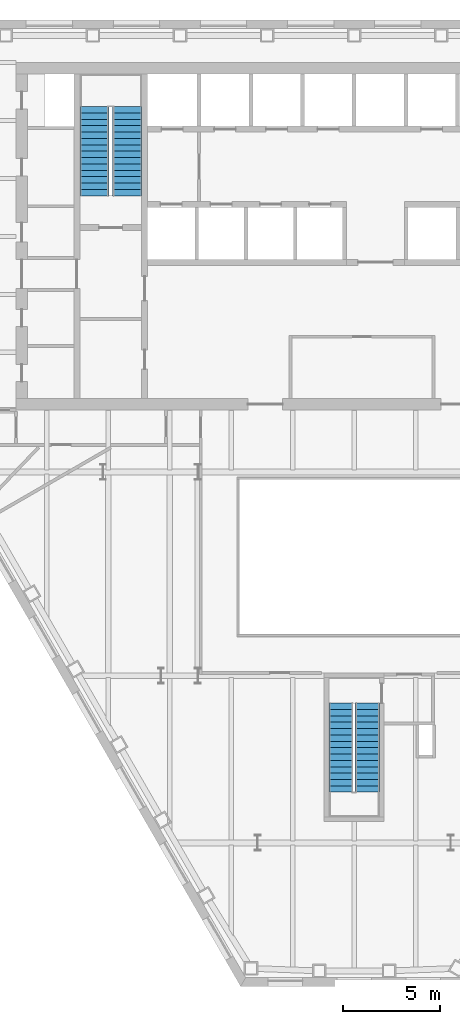
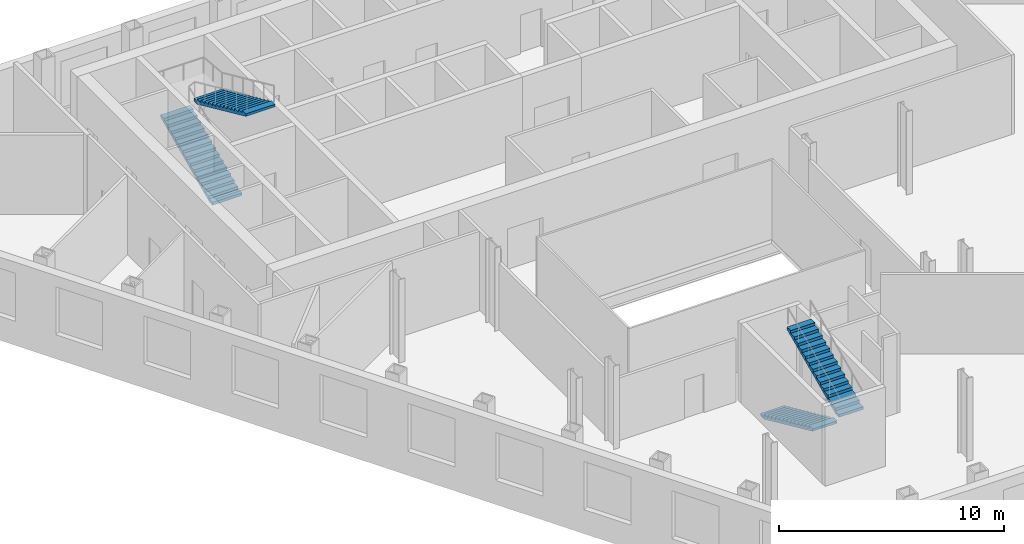
# One storey, part 9 of 11: 4 stair flights, 2 elements without a shape of their own.
"""IFC4 building model written with IfcOpenShell, lengths in metres."""

from ifc_helpers import new_model, si_unit, direction, frame, origin, place, context, subcontext, project, spatial, polygons, material, type_object, element, aggregate, save


model = new_model("IFC4")

# Units and contexts
model_context = context("Model", 3, precision=1e-05, world=origin(), true_north=direction((0.0, 1.0)))
body_context = subcontext(model_context, "Body", "Model", "MODEL_VIEW")
ifc_project = project(units=[si_unit("LENGTHUNIT", "METRE"), si_unit("AREAUNIT", "SQUARE_METRE"), si_unit("VOLUMEUNIT", "CUBIC_METRE"), si_unit("PLANEANGLEUNIT", "RADIAN"), si_unit("MASSUNIT", "GRAM", prefix="KILO")], contexts=[model_context])

# Site, building, storey
site_placement = place(None, origin())
site = spatial("IfcSite", under=ifc_project, at=site_placement, CompositionType="ELEMENT")
building_placement = place(site_placement, origin())
building = spatial("IfcBuilding", under=site, at=building_placement, Name="Njiva Tower", CompositionType="ELEMENT")
storey_placement = place(building_placement, frame((0.0, 0.0, 37.8)))
storey = spatial("IfcBuildingStorey", under=building, at=storey_placement, Name="L07", CompositionType="ELEMENT", Elevation=37.8)

# Stair, stair flights
ifc_material = material(Name="Concrete C40/50", Category="concrete")
stair_type_1 = type_object("IfcStairType", Name="ST1 Exit stair 1250", PredefinedType="HALF_TURN_STAIR", material=ifc_material)
stair_1_placement = place(storey_placement, origin())
stair_1 = element("IfcStair", 1, at=stair_1_placement, inside=storey, type_object=stair_type_1, Name="Stair C", PredefinedType="HALF_TURN_STAIR")
stair_flight_type_1 = type_object("IfcStairFlightType", Name="FL1 Stair flight 1250", PredefinedType="STRAIGHT", material=ifc_material)
stair_flight_1_placement = place(storey_placement, frame((-0.675, -15.16, 0.0), z_axis=(0.0, 0.0, 1.0), x_axis=(0.0, -1.0, 0.0)))
stair_flight_1 = element("IfcStairFlight", 2, at=stair_flight_1_placement, type_object=stair_flight_type_1, Name="ST-C flight 1", NumberOfRisers=15, NumberOfTreads=14, PredefinedType="STRAIGHT", RiserHeight=0.15, TreadLength=0.33, context=body_context, shape_type="Tessellation", body=[
    polygons([(0.0, 0.625, 0.0), (0.0, 0.3125, 0.0), (0.0, 0.0, 0.0), (0.0, -0.3125, 0.0), (0.0, -0.625, 0.0), (0.0, 0.625, 0.15), (0.0, 0.3125, 0.15), (0.0, 0.0, 0.15), (0.0, -0.3125, 0.15), (0.0, -0.625, 0.15), (0.33, 0.625, 0.15), (0.33, 0.3125, 0.15), (0.33, 0.0, 0.15), (0.33, -0.3125, 0.15), (0.33, -0.625, 0.15), (0.33, 0.625, 0.3), (0.33, 0.3125, 0.3), (0.33, 0.0, 0.3), (0.33, -0.3125, 0.3), (0.33, -0.625, 0.3), (0.66, 0.625, 0.3), (0.66, 0.3125, 0.3), (0.66, 0.0, 0.3), (0.66, -0.3125, 0.3), (0.66, -0.625, 0.3), (0.66, 0.625, 0.45), (0.66, 0.3125, 0.45), (0.66, 0.0, 0.45), (0.66, -0.3125, 0.45), (0.66, -0.625, 0.45), (0.99, 0.625, 0.45), (0.99, 0.3125, 0.45), (0.99, 0.0, 0.45), (0.99, -0.3125, 0.45), (0.99, -0.625, 0.45), (0.99, 0.625, 0.6), (0.99, 0.3125, 0.6), (0.99, 0.0, 0.6), (0.99, -0.3125, 0.6), (0.99, -0.625, 0.6), (1.32, 0.625, 0.6), (1.32, 0.3125, 0.6), (1.32, 0.0, 0.6), (1.32, -0.3125, 0.6), (1.32, -0.625, 0.6), (1.32, 0.625, 0.75), (1.32, 0.3125, 0.75), (1.32, 0.0, 0.75), (1.32, -0.3125, 0.75), (1.32, -0.625, 0.75), (1.65, 0.625, 0.75), (1.65, 0.3125, 0.75), (1.65, 0.0, 0.75), (1.65, -0.3125, 0.75), (1.65, -0.625, 0.75), (1.65, 0.625, 0.9), (1.65, 0.3125, 0.9), (1.65, 0.0, 0.9), (1.65, -0.3125, 0.9), (1.65, -0.625, 0.9), (1.98, 0.625, 0.9), (1.98, 0.3125, 0.9), (1.98, 0.0, 0.9), (1.98, -0.3125, 0.9), (1.98, -0.625, 0.9), (1.98, 0.625, 1.05), (1.98, 0.3125, 1.05), (1.98, 0.0, 1.05), (1.98, -0.3125, 1.05), (1.98, -0.625, 1.05), (2.31, 0.625, 1.05), (2.31, 0.3125, 1.05), (2.31, 0.0, 1.05), (2.31, -0.3125, 1.05), (2.31, -0.625, 1.05), (2.31, 0.625, 1.2), (2.31, 0.3125, 1.2), (2.31, 0.0, 1.2), (2.31, -0.3125, 1.2), (2.31, -0.625, 1.2), (2.64, 0.625, 1.2), (2.64, 0.3125, 1.2), (2.64, 0.0, 1.2), (2.64, -0.3125, 1.2), (2.64, -0.625, 1.2), (2.64, 0.625, 1.35), (2.64, 0.3125, 1.35), (2.64, 0.0, 1.35), (2.64, -0.3125, 1.35), (2.64, -0.625, 1.35), (2.97, 0.625, 1.35), (2.97, 0.3125, 1.35), (2.97, 0.0, 1.35), (2.97, -0.3125, 1.35), (2.97, -0.625, 1.35), (2.97, 0.625, 1.5), (2.97, 0.3125, 1.5), (2.97, 0.0, 1.5), (2.97, -0.3125, 1.5), (2.97, -0.625, 1.5), (3.3, 0.625, 1.5), (3.3, 0.3125, 1.5), (3.3, 0.0, 1.5), (3.3, -0.3125, 1.5), (3.3, -0.625, 1.5), (3.3, 0.625, 1.65), (3.3, 0.3125, 1.65), (3.3, 0.0, 1.65), (3.3, -0.3125, 1.65), (3.3, -0.625, 1.65), (3.63, 0.625, 1.65), (3.63, 0.3125, 1.65), (3.63, 0.0, 1.65), (3.63, -0.3125, 1.65), (3.63, -0.625, 1.65), (3.63, 0.625, 1.8), (3.63, 0.3125, 1.8), (3.63, 0.0, 1.8), (3.63, -0.3125, 1.8), (3.63, -0.625, 1.8), (3.96, 0.625, 1.8), (3.96, 0.3125, 1.8), (3.96, 0.0, 1.8), (3.96, -0.3125, 1.8), (3.96, -0.625, 1.8), (3.96, 0.625, 1.95), (3.96, 0.3125, 1.95), (3.96, 0.0, 1.95), (3.96, -0.3125, 1.95), (3.96, -0.625, 1.95), (4.29, 0.625, 1.95), (4.29, 0.3125, 1.95), (4.29, 0.0, 1.95), (4.29, -0.3125, 1.95), (4.29, -0.625, 1.95), (4.29, 0.625, 2.1), (4.29, 0.3125, 2.1), (4.29, 0.0, 2.1), (4.29, -0.3125, 2.1), (4.29, -0.625, 2.1), (4.62, 0.625, 2.1), (4.62, 0.3125, 2.1), (4.62, 0.0, 2.1), (4.62, -0.3125, 2.1), (4.62, -0.625, 2.1), (4.62, 0.625, 1.9682), (4.62, 0.3125, 1.9682), (4.62, 0.0, 1.9682), (4.62, -0.3125, 1.9682), (4.62, -0.625, 1.9682), (0.29, 0.625, 0.0), (0.29, 0.3125, 0.0), (0.29, 0.0, 0.0), (0.29, -0.3125, 0.0), (0.29, -0.625, 0.0)], [[[1, 6, 11, 16, 21, 26, 31, 36, 41, 46, 51, 56, 61, 66, 71, 76, 81, 86, 91, 96, 101, 106, 111, 116, 121, 126, 131, 136, 141, 146, 151]], [[155, 150, 145, 140, 135, 130, 125, 120, 115, 110, 105, 100, 95, 90, 85, 80, 75, 70, 65, 60, 55, 50, 45, 40, 35, 30, 25, 20, 15, 10, 5]], [[6, 1, 2, 7]], [[7, 2, 3, 8]], [[8, 3, 4, 9]], [[9, 4, 5, 10]], [[11, 6, 7, 12]], [[12, 7, 8, 13]], [[13, 8, 9, 14]], [[14, 9, 10, 15]], [[16, 11, 12, 17]], [[17, 12, 13, 18]], [[18, 13, 14, 19]], [[19, 14, 15, 20]], [[21, 16, 17, 22]], [[22, 17, 18, 23]], [[23, 18, 19, 24]], [[24, 19, 20, 25]], [[26, 21, 22, 27]], [[27, 22, 23, 28]], [[28, 23, 24, 29]], [[29, 24, 25, 30]], [[31, 26, 27, 32]], [[32, 27, 28, 33]], [[33, 28, 29, 34]], [[34, 29, 30, 35]], [[36, 31, 32, 37]], [[37, 32, 33, 38]], [[38, 33, 34, 39]], [[39, 34, 35, 40]], [[41, 36, 37, 42]], [[42, 37, 38, 43]], [[43, 38, 39, 44]], [[44, 39, 40, 45]], [[46, 41, 42, 47]], [[47, 42, 43, 48]], [[48, 43, 44, 49]], [[49, 44, 45, 50]], [[51, 46, 47, 52]], [[52, 47, 48, 53]], [[53, 48, 49, 54]], [[54, 49, 50, 55]], [[56, 51, 52, 57]], [[57, 52, 53, 58]], [[58, 53, 54, 59]], [[59, 54, 55, 60]], [[61, 56, 57, 62]], [[62, 57, 58, 63]], [[63, 58, 59, 64]], [[64, 59, 60, 65]], [[66, 61, 62, 67]], [[67, 62, 63, 68]], [[68, 63, 64, 69]], [[69, 64, 65, 70]], [[71, 66, 67, 72]], [[72, 67, 68, 73]], [[73, 68, 69, 74]], [[74, 69, 70, 75]], [[76, 71, 72, 77]], [[77, 72, 73, 78]], [[78, 73, 74, 79]], [[79, 74, 75, 80]], [[81, 76, 77, 82]], [[82, 77, 78, 83]], [[83, 78, 79, 84]], [[84, 79, 80, 85]], [[86, 81, 82, 87]], [[87, 82, 83, 88]], [[88, 83, 84, 89]], [[89, 84, 85, 90]], [[91, 86, 87, 92]], [[92, 87, 88, 93]], [[93, 88, 89, 94]], [[94, 89, 90, 95]], [[96, 91, 92, 97]], [[97, 92, 93, 98]], [[98, 93, 94, 99]], [[99, 94, 95, 100]], [[101, 96, 97, 102]], [[102, 97, 98, 103]], [[103, 98, 99, 104]], [[104, 99, 100, 105]], [[106, 101, 102, 107]], [[107, 102, 103, 108]], [[108, 103, 104, 109]], [[109, 104, 105, 110]], [[111, 106, 107, 112]], [[112, 107, 108, 113]], [[113, 108, 109, 114]], [[114, 109, 110, 115]], [[116, 111, 112, 117]], [[117, 112, 113, 118]], [[118, 113, 114, 119]], [[119, 114, 115, 120]], [[121, 116, 117, 122]], [[122, 117, 118, 123]], [[123, 118, 119, 124]], [[124, 119, 120, 125]], [[126, 121, 122, 127]], [[127, 122, 123, 128]], [[128, 123, 124, 129]], [[129, 124, 125, 130]], [[131, 126, 127, 132]], [[132, 127, 128, 133]], [[133, 128, 129, 134]], [[134, 129, 130, 135]], [[136, 131, 132, 137]], [[137, 132, 133, 138]], [[138, 133, 134, 139]], [[139, 134, 135, 140]], [[141, 136, 137, 142]], [[142, 137, 138, 143]], [[143, 138, 139, 144]], [[144, 139, 140, 145]], [[146, 141, 142, 147]], [[147, 142, 143, 148]], [[148, 143, 144, 149]], [[149, 144, 145, 150]], [[151, 146, 147, 152]], [[152, 147, 148, 153]], [[153, 148, 149, 154]], [[154, 149, 150, 155]], [[1, 151, 152, 2]], [[2, 152, 153, 3]], [[3, 153, 154, 4]], [[4, 154, 155, 5]]], closed=True),
])
stair_flight_2_placement = place(storey_placement, frame((0.675, -19.78, 2.25), z_axis=(0.0, 0.0, 1.0), x_axis=(0.0, 1.0, 0.0)))
stair_flight_2 = element("IfcStairFlight", 3, at=stair_flight_2_placement, type_object=stair_flight_type_1, Name="ST-C flight 2", NumberOfRisers=15, NumberOfTreads=14, PredefinedType="STRAIGHT", RiserHeight=0.15, TreadLength=0.33, context=body_context, shape_type="Tessellation", body=[
    polygons([(0.0, 0.625, 0.0), (0.0, 0.3125, 0.0), (0.0, 0.0, 0.0), (0.0, -0.3125, 0.0), (0.0, -0.625, 0.0), (0.0, 0.625, 0.15), (0.0, 0.3125, 0.15), (0.0, 0.0, 0.15), (0.0, -0.3125, 0.15), (0.0, -0.625, 0.15), (0.33, 0.625, 0.15), (0.33, 0.3125, 0.15), (0.33, 0.0, 0.15), (0.33, -0.3125, 0.15), (0.33, -0.625, 0.15), (0.33, 0.625, 0.3), (0.33, 0.3125, 0.3), (0.33, 0.0, 0.3), (0.33, -0.3125, 0.3), (0.33, -0.625, 0.3), (0.66, 0.625, 0.3), (0.66, 0.3125, 0.3), (0.66, 0.0, 0.3), (0.66, -0.3125, 0.3), (0.66, -0.625, 0.3), (0.66, 0.625, 0.45), (0.66, 0.3125, 0.45), (0.66, 0.0, 0.45), (0.66, -0.3125, 0.45), (0.66, -0.625, 0.45), (0.99, 0.625, 0.45), (0.99, 0.3125, 0.45), (0.99, 0.0, 0.45), (0.99, -0.3125, 0.45), (0.99, -0.625, 0.45), (0.99, 0.625, 0.6), (0.99, 0.3125, 0.6), (0.99, 0.0, 0.6), (0.99, -0.3125, 0.6), (0.99, -0.625, 0.6), (1.32, 0.625, 0.6), (1.32, 0.3125, 0.6), (1.32, 0.0, 0.6), (1.32, -0.3125, 0.6), (1.32, -0.625, 0.6), (1.32, 0.625, 0.75), (1.32, 0.3125, 0.75), (1.32, 0.0, 0.75), (1.32, -0.3125, 0.75), (1.32, -0.625, 0.75), (1.65, 0.625, 0.75), (1.65, 0.3125, 0.75), (1.65, 0.0, 0.75), (1.65, -0.3125, 0.75), (1.65, -0.625, 0.75), (1.65, 0.625, 0.9), (1.65, 0.3125, 0.9), (1.65, 0.0, 0.9), (1.65, -0.3125, 0.9), (1.65, -0.625, 0.9), (1.98, 0.625, 0.9), (1.98, 0.3125, 0.9), (1.98, 0.0, 0.9), (1.98, -0.3125, 0.9), (1.98, -0.625, 0.9), (1.98, 0.625, 1.05), (1.98, 0.3125, 1.05), (1.98, 0.0, 1.05), (1.98, -0.3125, 1.05), (1.98, -0.625, 1.05), (2.31, 0.625, 1.05), (2.31, 0.3125, 1.05), (2.31, 0.0, 1.05), (2.31, -0.3125, 1.05), (2.31, -0.625, 1.05), (2.31, 0.625, 1.2), (2.31, 0.3125, 1.2), (2.31, 0.0, 1.2), (2.31, -0.3125, 1.2), (2.31, -0.625, 1.2), (2.64, 0.625, 1.2), (2.64, 0.3125, 1.2), (2.64, 0.0, 1.2), (2.64, -0.3125, 1.2), (2.64, -0.625, 1.2), (2.64, 0.625, 1.35), (2.64, 0.3125, 1.35), (2.64, 0.0, 1.35), (2.64, -0.3125, 1.35), (2.64, -0.625, 1.35), (2.97, 0.625, 1.35), (2.97, 0.3125, 1.35), (2.97, 0.0, 1.35), (2.97, -0.3125, 1.35), (2.97, -0.625, 1.35), (2.97, 0.625, 1.5), (2.97, 0.3125, 1.5), (2.97, 0.0, 1.5), (2.97, -0.3125, 1.5), (2.97, -0.625, 1.5), (3.3, 0.625, 1.5), (3.3, 0.3125, 1.5), (3.3, 0.0, 1.5), (3.3, -0.3125, 1.5), (3.3, -0.625, 1.5), (3.3, 0.625, 1.65), (3.3, 0.3125, 1.65), (3.3, 0.0, 1.65), (3.3, -0.3125, 1.65), (3.3, -0.625, 1.65), (3.63, 0.625, 1.65), (3.63, 0.3125, 1.65), (3.63, 0.0, 1.65), (3.63, -0.3125, 1.65), (3.63, -0.625, 1.65), (3.63, 0.625, 1.8), (3.63, 0.3125, 1.8), (3.63, 0.0, 1.8), (3.63, -0.3125, 1.8), (3.63, -0.625, 1.8), (3.96, 0.625, 1.8), (3.96, 0.3125, 1.8), (3.96, 0.0, 1.8), (3.96, -0.3125, 1.8), (3.96, -0.625, 1.8), (3.96, 0.625, 1.95), (3.96, 0.3125, 1.95), (3.96, 0.0, 1.95), (3.96, -0.3125, 1.95), (3.96, -0.625, 1.95), (4.29, 0.625, 1.95), (4.29, 0.3125, 1.95), (4.29, 0.0, 1.95), (4.29, -0.3125, 1.95), (4.29, -0.625, 1.95), (4.29, 0.625, 2.1), (4.29, 0.3125, 2.1), (4.29, 0.0, 2.1), (4.29, -0.3125, 2.1), (4.29, -0.625, 2.1), (4.62, 0.625, 2.1), (4.62, 0.3125, 2.1), (4.62, 0.0, 2.1), (4.62, -0.3125, 2.1), (4.62, -0.625, 2.1), (4.62, 0.625, 1.9682), (4.62, 0.3125, 1.9682), (4.62, 0.0, 1.9682), (4.62, -0.3125, 1.9682), (4.62, -0.625, 1.9682), (0.29, 0.625, 0.0), (0.29, 0.3125, 0.0), (0.29, 0.0, 0.0), (0.29, -0.3125, 0.0), (0.29, -0.625, 0.0)], [[[1, 6, 11, 16, 21, 26, 31, 36, 41, 46, 51, 56, 61, 66, 71, 76, 81, 86, 91, 96, 101, 106, 111, 116, 121, 126, 131, 136, 141, 146, 151]], [[155, 150, 145, 140, 135, 130, 125, 120, 115, 110, 105, 100, 95, 90, 85, 80, 75, 70, 65, 60, 55, 50, 45, 40, 35, 30, 25, 20, 15, 10, 5]], [[6, 1, 2, 7]], [[7, 2, 3, 8]], [[8, 3, 4, 9]], [[9, 4, 5, 10]], [[11, 6, 7, 12]], [[12, 7, 8, 13]], [[13, 8, 9, 14]], [[14, 9, 10, 15]], [[16, 11, 12, 17]], [[17, 12, 13, 18]], [[18, 13, 14, 19]], [[19, 14, 15, 20]], [[21, 16, 17, 22]], [[22, 17, 18, 23]], [[23, 18, 19, 24]], [[24, 19, 20, 25]], [[26, 21, 22, 27]], [[27, 22, 23, 28]], [[28, 23, 24, 29]], [[29, 24, 25, 30]], [[31, 26, 27, 32]], [[32, 27, 28, 33]], [[33, 28, 29, 34]], [[34, 29, 30, 35]], [[36, 31, 32, 37]], [[37, 32, 33, 38]], [[38, 33, 34, 39]], [[39, 34, 35, 40]], [[41, 36, 37, 42]], [[42, 37, 38, 43]], [[43, 38, 39, 44]], [[44, 39, 40, 45]], [[46, 41, 42, 47]], [[47, 42, 43, 48]], [[48, 43, 44, 49]], [[49, 44, 45, 50]], [[51, 46, 47, 52]], [[52, 47, 48, 53]], [[53, 48, 49, 54]], [[54, 49, 50, 55]], [[56, 51, 52, 57]], [[57, 52, 53, 58]], [[58, 53, 54, 59]], [[59, 54, 55, 60]], [[61, 56, 57, 62]], [[62, 57, 58, 63]], [[63, 58, 59, 64]], [[64, 59, 60, 65]], [[66, 61, 62, 67]], [[67, 62, 63, 68]], [[68, 63, 64, 69]], [[69, 64, 65, 70]], [[71, 66, 67, 72]], [[72, 67, 68, 73]], [[73, 68, 69, 74]], [[74, 69, 70, 75]], [[76, 71, 72, 77]], [[77, 72, 73, 78]], [[78, 73, 74, 79]], [[79, 74, 75, 80]], [[81, 76, 77, 82]], [[82, 77, 78, 83]], [[83, 78, 79, 84]], [[84, 79, 80, 85]], [[86, 81, 82, 87]], [[87, 82, 83, 88]], [[88, 83, 84, 89]], [[89, 84, 85, 90]], [[91, 86, 87, 92]], [[92, 87, 88, 93]], [[93, 88, 89, 94]], [[94, 89, 90, 95]], [[96, 91, 92, 97]], [[97, 92, 93, 98]], [[98, 93, 94, 99]], [[99, 94, 95, 100]], [[101, 96, 97, 102]], [[102, 97, 98, 103]], [[103, 98, 99, 104]], [[104, 99, 100, 105]], [[106, 101, 102, 107]], [[107, 102, 103, 108]], [[108, 103, 104, 109]], [[109, 104, 105, 110]], [[111, 106, 107, 112]], [[112, 107, 108, 113]], [[113, 108, 109, 114]], [[114, 109, 110, 115]], [[116, 111, 112, 117]], [[117, 112, 113, 118]], [[118, 113, 114, 119]], [[119, 114, 115, 120]], [[121, 116, 117, 122]], [[122, 117, 118, 123]], [[123, 118, 119, 124]], [[124, 119, 120, 125]], [[126, 121, 122, 127]], [[127, 122, 123, 128]], [[128, 123, 124, 129]], [[129, 124, 125, 130]], [[131, 126, 127, 132]], [[132, 127, 128, 133]], [[133, 128, 129, 134]], [[134, 129, 130, 135]], [[136, 131, 132, 137]], [[137, 132, 133, 138]], [[138, 133, 134, 139]], [[139, 134, 135, 140]], [[141, 136, 137, 142]], [[142, 137, 138, 143]], [[143, 138, 139, 144]], [[144, 139, 140, 145]], [[146, 141, 142, 147]], [[147, 142, 143, 148]], [[148, 143, 144, 149]], [[149, 144, 145, 150]], [[151, 146, 147, 152]], [[152, 147, 148, 153]], [[153, 148, 149, 154]], [[154, 149, 150, 155]], [[1, 151, 152, 2]], [[2, 152, 153, 3]], [[3, 153, 154, 4]], [[4, 154, 155, 5]]], closed=True),
])
aggregate(stair_1, [stair_flight_1, stair_flight_2])

stair_type_2 = type_object("IfcStairType", Name="ST4 Exit stair 1500", PredefinedType="HALF_TURN_STAIR", material=ifc_material)
stair_2_placement = place(storey_placement, origin())
stair_2 = element("IfcStair", 4, at=stair_2_placement, inside=storey, type_object=stair_type_2, Name="Stair A", PredefinedType="HALF_TURN_STAIR")
stair_flight_type_2 = type_object("IfcStairFlightType", Name="FL4 Stair flight 1500", PredefinedType="STRAIGHT", material=ifc_material)
stair_flight_3_placement = place(storey_placement, frame((-13.45, 11.1, 0.0), z_axis=(0.0, 0.0, 1.0), x_axis=(0.0, 1.0, 0.0)))
stair_flight_3 = element("IfcStairFlight", 5, at=stair_flight_3_placement, type_object=stair_flight_type_2, Name="ST-A flight 1", NumberOfRisers=15, NumberOfTreads=14, PredefinedType="STRAIGHT", RiserHeight=0.15, TreadLength=0.33, context=body_context, shape_type="Tessellation", body=[
    polygons([(0.0, 0.75, 0.0), (0.0, 0.375, 0.0), (0.0, 0.0, 0.0), (0.0, -0.375, 0.0), (0.0, -0.75, 0.0), (0.0, 0.75, 0.15), (0.0, 0.375, 0.15), (0.0, 0.0, 0.15), (0.0, -0.375, 0.15), (0.0, -0.75, 0.15), (0.33, 0.75, 0.15), (0.33, 0.375, 0.15), (0.33, 0.0, 0.15), (0.33, -0.375, 0.15), (0.33, -0.75, 0.15), (0.33, 0.75, 0.3), (0.33, 0.375, 0.3), (0.33, 0.0, 0.3), (0.33, -0.375, 0.3), (0.33, -0.75, 0.3), (0.66, 0.75, 0.3), (0.66, 0.375, 0.3), (0.66, 0.0, 0.3), (0.66, -0.375, 0.3), (0.66, -0.75, 0.3), (0.66, 0.75, 0.45), (0.66, 0.375, 0.45), (0.66, 0.0, 0.45), (0.66, -0.375, 0.45), (0.66, -0.75, 0.45), (0.99, 0.75, 0.45), (0.99, 0.375, 0.45), (0.99, 0.0, 0.45), (0.99, -0.375, 0.45), (0.99, -0.75, 0.45), (0.99, 0.75, 0.6), (0.99, 0.375, 0.6), (0.99, 0.0, 0.6), (0.99, -0.375, 0.6), (0.99, -0.75, 0.6), (1.32, 0.75, 0.6), (1.32, 0.375, 0.6), (1.32, 0.0, 0.6), (1.32, -0.375, 0.6), (1.32, -0.75, 0.6), (1.32, 0.75, 0.75), (1.32, 0.375, 0.75), (1.32, 0.0, 0.75), (1.32, -0.375, 0.75), (1.32, -0.75, 0.75), (1.65, 0.75, 0.75), (1.65, 0.375, 0.75), (1.65, 0.0, 0.75), (1.65, -0.375, 0.75), (1.65, -0.75, 0.75), (1.65, 0.75, 0.9), (1.65, 0.375, 0.9), (1.65, 0.0, 0.9), (1.65, -0.375, 0.9), (1.65, -0.75, 0.9), (1.98, 0.75, 0.9), (1.98, 0.375, 0.9), (1.98, 0.0, 0.9), (1.98, -0.375, 0.9), (1.98, -0.75, 0.9), (1.98, 0.75, 1.05), (1.98, 0.375, 1.05), (1.98, 0.0, 1.05), (1.98, -0.375, 1.05), (1.98, -0.75, 1.05), (2.31, 0.75, 1.05), (2.31, 0.375, 1.05), (2.31, 0.0, 1.05), (2.31, -0.375, 1.05), (2.31, -0.75, 1.05), (2.31, 0.75, 1.2), (2.31, 0.375, 1.2), (2.31, 0.0, 1.2), (2.31, -0.375, 1.2), (2.31, -0.75, 1.2), (2.64, 0.75, 1.2), (2.64, 0.375, 1.2), (2.64, 0.0, 1.2), (2.64, -0.375, 1.2), (2.64, -0.75, 1.2), (2.64, 0.75, 1.35), (2.64, 0.375, 1.35), (2.64, 0.0, 1.35), (2.64, -0.375, 1.35), (2.64, -0.75, 1.35), (2.97, 0.75, 1.35), (2.97, 0.375, 1.35), (2.97, 0.0, 1.35), (2.97, -0.375, 1.35), (2.97, -0.75, 1.35), (2.97, 0.75, 1.5), (2.97, 0.375, 1.5), (2.97, 0.0, 1.5), (2.97, -0.375, 1.5), (2.97, -0.75, 1.5), (3.3, 0.75, 1.5), (3.3, 0.375, 1.5), (3.3, 0.0, 1.5), (3.3, -0.375, 1.5), (3.3, -0.75, 1.5), (3.3, 0.75, 1.65), (3.3, 0.375, 1.65), (3.3, 0.0, 1.65), (3.3, -0.375, 1.65), (3.3, -0.75, 1.65), (3.63, 0.75, 1.65), (3.63, 0.375, 1.65), (3.63, 0.0, 1.65), (3.63, -0.375, 1.65), (3.63, -0.75, 1.65), (3.63, 0.75, 1.8), (3.63, 0.375, 1.8), (3.63, 0.0, 1.8), (3.63, -0.375, 1.8), (3.63, -0.75, 1.8), (3.96, 0.75, 1.8), (3.96, 0.375, 1.8), (3.96, 0.0, 1.8), (3.96, -0.375, 1.8), (3.96, -0.75, 1.8), (3.96, 0.75, 1.95), (3.96, 0.375, 1.95), (3.96, 0.0, 1.95), (3.96, -0.375, 1.95), (3.96, -0.75, 1.95), (4.29, 0.75, 1.95), (4.29, 0.375, 1.95), (4.29, 0.0, 1.95), (4.29, -0.375, 1.95), (4.29, -0.75, 1.95), (4.29, 0.75, 2.1), (4.29, 0.375, 2.1), (4.29, 0.0, 2.1), (4.29, -0.375, 2.1), (4.29, -0.75, 2.1), (4.62, 0.75, 2.1), (4.62, 0.375, 2.1), (4.62, 0.0, 2.1), (4.62, -0.375, 2.1), (4.62, -0.75, 2.1), (4.62, 0.75, 1.9682), (4.62, 0.375, 1.9682), (4.62, 0.0, 1.9682), (4.62, -0.375, 1.9682), (4.62, -0.75, 1.9682), (0.29, 0.75, 0.0), (0.29, 0.375, 0.0), (0.29, 0.0, 0.0), (0.29, -0.375, 0.0), (0.29, -0.75, 0.0)], [[[1, 6, 11, 16, 21, 26, 31, 36, 41, 46, 51, 56, 61, 66, 71, 76, 81, 86, 91, 96, 101, 106, 111, 116, 121, 126, 131, 136, 141, 146, 151]], [[155, 150, 145, 140, 135, 130, 125, 120, 115, 110, 105, 100, 95, 90, 85, 80, 75, 70, 65, 60, 55, 50, 45, 40, 35, 30, 25, 20, 15, 10, 5]], [[6, 1, 2, 7]], [[7, 2, 3, 8]], [[8, 3, 4, 9]], [[9, 4, 5, 10]], [[11, 6, 7, 12]], [[12, 7, 8, 13]], [[13, 8, 9, 14]], [[14, 9, 10, 15]], [[16, 11, 12, 17]], [[17, 12, 13, 18]], [[18, 13, 14, 19]], [[19, 14, 15, 20]], [[21, 16, 17, 22]], [[22, 17, 18, 23]], [[23, 18, 19, 24]], [[24, 19, 20, 25]], [[26, 21, 22, 27]], [[27, 22, 23, 28]], [[28, 23, 24, 29]], [[29, 24, 25, 30]], [[31, 26, 27, 32]], [[32, 27, 28, 33]], [[33, 28, 29, 34]], [[34, 29, 30, 35]], [[36, 31, 32, 37]], [[37, 32, 33, 38]], [[38, 33, 34, 39]], [[39, 34, 35, 40]], [[41, 36, 37, 42]], [[42, 37, 38, 43]], [[43, 38, 39, 44]], [[44, 39, 40, 45]], [[46, 41, 42, 47]], [[47, 42, 43, 48]], [[48, 43, 44, 49]], [[49, 44, 45, 50]], [[51, 46, 47, 52]], [[52, 47, 48, 53]], [[53, 48, 49, 54]], [[54, 49, 50, 55]], [[56, 51, 52, 57]], [[57, 52, 53, 58]], [[58, 53, 54, 59]], [[59, 54, 55, 60]], [[61, 56, 57, 62]], [[62, 57, 58, 63]], [[63, 58, 59, 64]], [[64, 59, 60, 65]], [[66, 61, 62, 67]], [[67, 62, 63, 68]], [[68, 63, 64, 69]], [[69, 64, 65, 70]], [[71, 66, 67, 72]], [[72, 67, 68, 73]], [[73, 68, 69, 74]], [[74, 69, 70, 75]], [[76, 71, 72, 77]], [[77, 72, 73, 78]], [[78, 73, 74, 79]], [[79, 74, 75, 80]], [[81, 76, 77, 82]], [[82, 77, 78, 83]], [[83, 78, 79, 84]], [[84, 79, 80, 85]], [[86, 81, 82, 87]], [[87, 82, 83, 88]], [[88, 83, 84, 89]], [[89, 84, 85, 90]], [[91, 86, 87, 92]], [[92, 87, 88, 93]], [[93, 88, 89, 94]], [[94, 89, 90, 95]], [[96, 91, 92, 97]], [[97, 92, 93, 98]], [[98, 93, 94, 99]], [[99, 94, 95, 100]], [[101, 96, 97, 102]], [[102, 97, 98, 103]], [[103, 98, 99, 104]], [[104, 99, 100, 105]], [[106, 101, 102, 107]], [[107, 102, 103, 108]], [[108, 103, 104, 109]], [[109, 104, 105, 110]], [[111, 106, 107, 112]], [[112, 107, 108, 113]], [[113, 108, 109, 114]], [[114, 109, 110, 115]], [[116, 111, 112, 117]], [[117, 112, 113, 118]], [[118, 113, 114, 119]], [[119, 114, 115, 120]], [[121, 116, 117, 122]], [[122, 117, 118, 123]], [[123, 118, 119, 124]], [[124, 119, 120, 125]], [[126, 121, 122, 127]], [[127, 122, 123, 128]], [[128, 123, 124, 129]], [[129, 124, 125, 130]], [[131, 126, 127, 132]], [[132, 127, 128, 133]], [[133, 128, 129, 134]], [[134, 129, 130, 135]], [[136, 131, 132, 137]], [[137, 132, 133, 138]], [[138, 133, 134, 139]], [[139, 134, 135, 140]], [[141, 136, 137, 142]], [[142, 137, 138, 143]], [[143, 138, 139, 144]], [[144, 139, 140, 145]], [[146, 141, 142, 147]], [[147, 142, 143, 148]], [[148, 143, 144, 149]], [[149, 144, 145, 150]], [[151, 146, 147, 152]], [[152, 147, 148, 153]], [[153, 148, 149, 154]], [[154, 149, 150, 155]], [[1, 151, 152, 2]], [[2, 152, 153, 3]], [[3, 153, 154, 4]], [[4, 154, 155, 5]]], closed=True),
])
stair_flight_4_placement = place(storey_placement, frame((-11.75, 15.72, 2.25), z_axis=(0.0, 0.0, 1.0), x_axis=(0.0, -1.0, 0.0)))
stair_flight_4 = element("IfcStairFlight", 6, at=stair_flight_4_placement, type_object=stair_flight_type_2, Name="ST-A flight 2", NumberOfRisers=15, NumberOfTreads=14, PredefinedType="STRAIGHT", RiserHeight=0.15, TreadLength=0.33, context=body_context, shape_type="Tessellation", body=[
    polygons([(0.0, 0.75, 0.0), (0.0, 0.375, 0.0), (0.0, 0.0, 0.0), (0.0, -0.375, 0.0), (0.0, -0.75, 0.0), (0.0, 0.75, 0.15), (0.0, 0.375, 0.15), (0.0, 0.0, 0.15), (0.0, -0.375, 0.15), (0.0, -0.75, 0.15), (0.33, 0.75, 0.15), (0.33, 0.375, 0.15), (0.33, 0.0, 0.15), (0.33, -0.375, 0.15), (0.33, -0.75, 0.15), (0.33, 0.75, 0.3), (0.33, 0.375, 0.3), (0.33, 0.0, 0.3), (0.33, -0.375, 0.3), (0.33, -0.75, 0.3), (0.66, 0.75, 0.3), (0.66, 0.375, 0.3), (0.66, 0.0, 0.3), (0.66, -0.375, 0.3), (0.66, -0.75, 0.3), (0.66, 0.75, 0.45), (0.66, 0.375, 0.45), (0.66, 0.0, 0.45), (0.66, -0.375, 0.45), (0.66, -0.75, 0.45), (0.99, 0.75, 0.45), (0.99, 0.375, 0.45), (0.99, 0.0, 0.45), (0.99, -0.375, 0.45), (0.99, -0.75, 0.45), (0.99, 0.75, 0.6), (0.99, 0.375, 0.6), (0.99, 0.0, 0.6), (0.99, -0.375, 0.6), (0.99, -0.75, 0.6), (1.32, 0.75, 0.6), (1.32, 0.375, 0.6), (1.32, 0.0, 0.6), (1.32, -0.375, 0.6), (1.32, -0.75, 0.6), (1.32, 0.75, 0.75), (1.32, 0.375, 0.75), (1.32, 0.0, 0.75), (1.32, -0.375, 0.75), (1.32, -0.75, 0.75), (1.65, 0.75, 0.75), (1.65, 0.375, 0.75), (1.65, 0.0, 0.75), (1.65, -0.375, 0.75), (1.65, -0.75, 0.75), (1.65, 0.75, 0.9), (1.65, 0.375, 0.9), (1.65, 0.0, 0.9), (1.65, -0.375, 0.9), (1.65, -0.75, 0.9), (1.98, 0.75, 0.9), (1.98, 0.375, 0.9), (1.98, 0.0, 0.9), (1.98, -0.375, 0.9), (1.98, -0.75, 0.9), (1.98, 0.75, 1.05), (1.98, 0.375, 1.05), (1.98, 0.0, 1.05), (1.98, -0.375, 1.05), (1.98, -0.75, 1.05), (2.31, 0.75, 1.05), (2.31, 0.375, 1.05), (2.31, 0.0, 1.05), (2.31, -0.375, 1.05), (2.31, -0.75, 1.05), (2.31, 0.75, 1.2), (2.31, 0.375, 1.2), (2.31, 0.0, 1.2), (2.31, -0.375, 1.2), (2.31, -0.75, 1.2), (2.64, 0.75, 1.2), (2.64, 0.375, 1.2), (2.64, 0.0, 1.2), (2.64, -0.375, 1.2), (2.64, -0.75, 1.2), (2.64, 0.75, 1.35), (2.64, 0.375, 1.35), (2.64, 0.0, 1.35), (2.64, -0.375, 1.35), (2.64, -0.75, 1.35), (2.97, 0.75, 1.35), (2.97, 0.375, 1.35), (2.97, 0.0, 1.35), (2.97, -0.375, 1.35), (2.97, -0.75, 1.35), (2.97, 0.75, 1.5), (2.97, 0.375, 1.5), (2.97, 0.0, 1.5), (2.97, -0.375, 1.5), (2.97, -0.75, 1.5), (3.3, 0.75, 1.5), (3.3, 0.375, 1.5), (3.3, 0.0, 1.5), (3.3, -0.375, 1.5), (3.3, -0.75, 1.5), (3.3, 0.75, 1.65), (3.3, 0.375, 1.65), (3.3, 0.0, 1.65), (3.3, -0.375, 1.65), (3.3, -0.75, 1.65), (3.63, 0.75, 1.65), (3.63, 0.375, 1.65), (3.63, 0.0, 1.65), (3.63, -0.375, 1.65), (3.63, -0.75, 1.65), (3.63, 0.75, 1.8), (3.63, 0.375, 1.8), (3.63, 0.0, 1.8), (3.63, -0.375, 1.8), (3.63, -0.75, 1.8), (3.96, 0.75, 1.8), (3.96, 0.375, 1.8), (3.96, 0.0, 1.8), (3.96, -0.375, 1.8), (3.96, -0.75, 1.8), (3.96, 0.75, 1.95), (3.96, 0.375, 1.95), (3.96, 0.0, 1.95), (3.96, -0.375, 1.95), (3.96, -0.75, 1.95), (4.29, 0.75, 1.95), (4.29, 0.375, 1.95), (4.29, 0.0, 1.95), (4.29, -0.375, 1.95), (4.29, -0.75, 1.95), (4.29, 0.75, 2.1), (4.29, 0.375, 2.1), (4.29, 0.0, 2.1), (4.29, -0.375, 2.1), (4.29, -0.75, 2.1), (4.62, 0.75, 2.1), (4.62, 0.375, 2.1), (4.62, 0.0, 2.1), (4.62, -0.375, 2.1), (4.62, -0.75, 2.1), (4.62, 0.75, 1.9682), (4.62, 0.375, 1.9682), (4.62, 0.0, 1.9682), (4.62, -0.375, 1.9682), (4.62, -0.75, 1.9682), (0.29, 0.75, 0.0), (0.29, 0.375, 0.0), (0.29, 0.0, 0.0), (0.29, -0.375, 0.0), (0.29, -0.75, 0.0)], [[[1, 6, 11, 16, 21, 26, 31, 36, 41, 46, 51, 56, 61, 66, 71, 76, 81, 86, 91, 96, 101, 106, 111, 116, 121, 126, 131, 136, 141, 146, 151]], [[155, 150, 145, 140, 135, 130, 125, 120, 115, 110, 105, 100, 95, 90, 85, 80, 75, 70, 65, 60, 55, 50, 45, 40, 35, 30, 25, 20, 15, 10, 5]], [[6, 1, 2, 7]], [[7, 2, 3, 8]], [[8, 3, 4, 9]], [[9, 4, 5, 10]], [[11, 6, 7, 12]], [[12, 7, 8, 13]], [[13, 8, 9, 14]], [[14, 9, 10, 15]], [[16, 11, 12, 17]], [[17, 12, 13, 18]], [[18, 13, 14, 19]], [[19, 14, 15, 20]], [[21, 16, 17, 22]], [[22, 17, 18, 23]], [[23, 18, 19, 24]], [[24, 19, 20, 25]], [[26, 21, 22, 27]], [[27, 22, 23, 28]], [[28, 23, 24, 29]], [[29, 24, 25, 30]], [[31, 26, 27, 32]], [[32, 27, 28, 33]], [[33, 28, 29, 34]], [[34, 29, 30, 35]], [[36, 31, 32, 37]], [[37, 32, 33, 38]], [[38, 33, 34, 39]], [[39, 34, 35, 40]], [[41, 36, 37, 42]], [[42, 37, 38, 43]], [[43, 38, 39, 44]], [[44, 39, 40, 45]], [[46, 41, 42, 47]], [[47, 42, 43, 48]], [[48, 43, 44, 49]], [[49, 44, 45, 50]], [[51, 46, 47, 52]], [[52, 47, 48, 53]], [[53, 48, 49, 54]], [[54, 49, 50, 55]], [[56, 51, 52, 57]], [[57, 52, 53, 58]], [[58, 53, 54, 59]], [[59, 54, 55, 60]], [[61, 56, 57, 62]], [[62, 57, 58, 63]], [[63, 58, 59, 64]], [[64, 59, 60, 65]], [[66, 61, 62, 67]], [[67, 62, 63, 68]], [[68, 63, 64, 69]], [[69, 64, 65, 70]], [[71, 66, 67, 72]], [[72, 67, 68, 73]], [[73, 68, 69, 74]], [[74, 69, 70, 75]], [[76, 71, 72, 77]], [[77, 72, 73, 78]], [[78, 73, 74, 79]], [[79, 74, 75, 80]], [[81, 76, 77, 82]], [[82, 77, 78, 83]], [[83, 78, 79, 84]], [[84, 79, 80, 85]], [[86, 81, 82, 87]], [[87, 82, 83, 88]], [[88, 83, 84, 89]], [[89, 84, 85, 90]], [[91, 86, 87, 92]], [[92, 87, 88, 93]], [[93, 88, 89, 94]], [[94, 89, 90, 95]], [[96, 91, 92, 97]], [[97, 92, 93, 98]], [[98, 93, 94, 99]], [[99, 94, 95, 100]], [[101, 96, 97, 102]], [[102, 97, 98, 103]], [[103, 98, 99, 104]], [[104, 99, 100, 105]], [[106, 101, 102, 107]], [[107, 102, 103, 108]], [[108, 103, 104, 109]], [[109, 104, 105, 110]], [[111, 106, 107, 112]], [[112, 107, 108, 113]], [[113, 108, 109, 114]], [[114, 109, 110, 115]], [[116, 111, 112, 117]], [[117, 112, 113, 118]], [[118, 113, 114, 119]], [[119, 114, 115, 120]], [[121, 116, 117, 122]], [[122, 117, 118, 123]], [[123, 118, 119, 124]], [[124, 119, 120, 125]], [[126, 121, 122, 127]], [[127, 122, 123, 128]], [[128, 123, 124, 129]], [[129, 124, 125, 130]], [[131, 126, 127, 132]], [[132, 127, 128, 133]], [[133, 128, 129, 134]], [[134, 129, 130, 135]], [[136, 131, 132, 137]], [[137, 132, 133, 138]], [[138, 133, 134, 139]], [[139, 134, 135, 140]], [[141, 136, 137, 142]], [[142, 137, 138, 143]], [[143, 138, 139, 144]], [[144, 139, 140, 145]], [[146, 141, 142, 147]], [[147, 142, 143, 148]], [[148, 143, 144, 149]], [[149, 144, 145, 150]], [[151, 146, 147, 152]], [[152, 147, 148, 153]], [[153, 148, 149, 154]], [[154, 149, 150, 155]], [[1, 151, 152, 2]], [[2, 152, 153, 3]], [[3, 153, 154, 4]], [[4, 154, 155, 5]]], closed=True),
])
aggregate(stair_2, [stair_flight_3, stair_flight_4])

save(model, "model.ifc")
